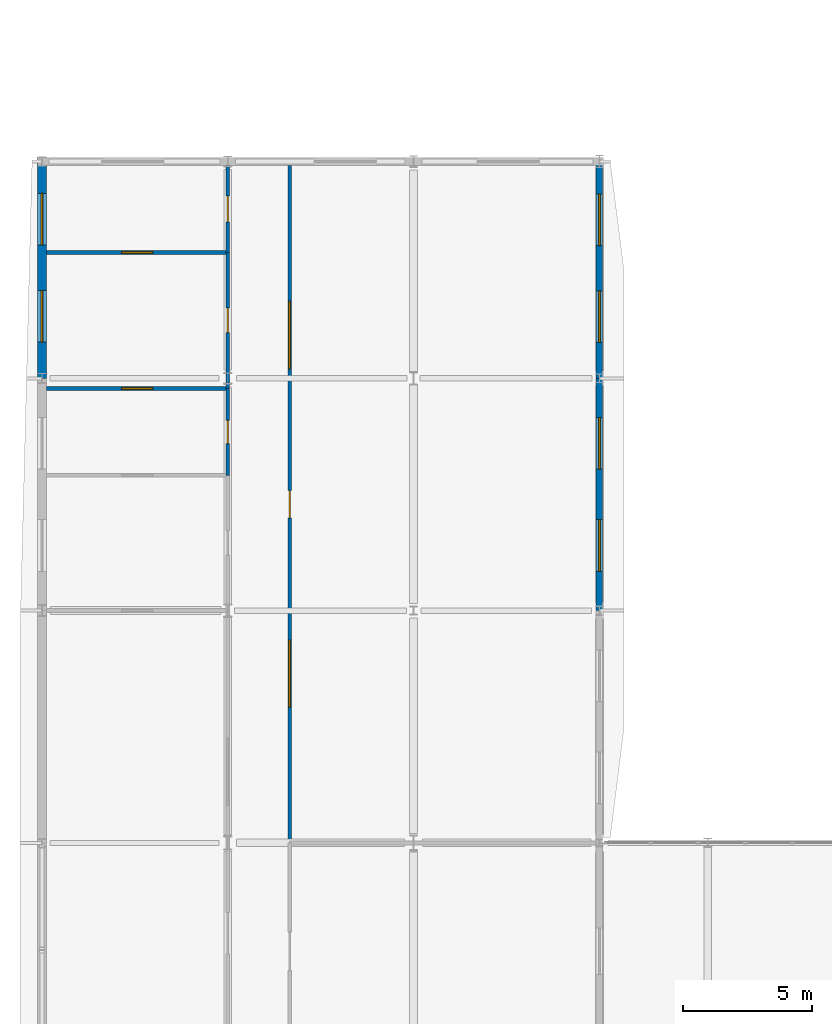
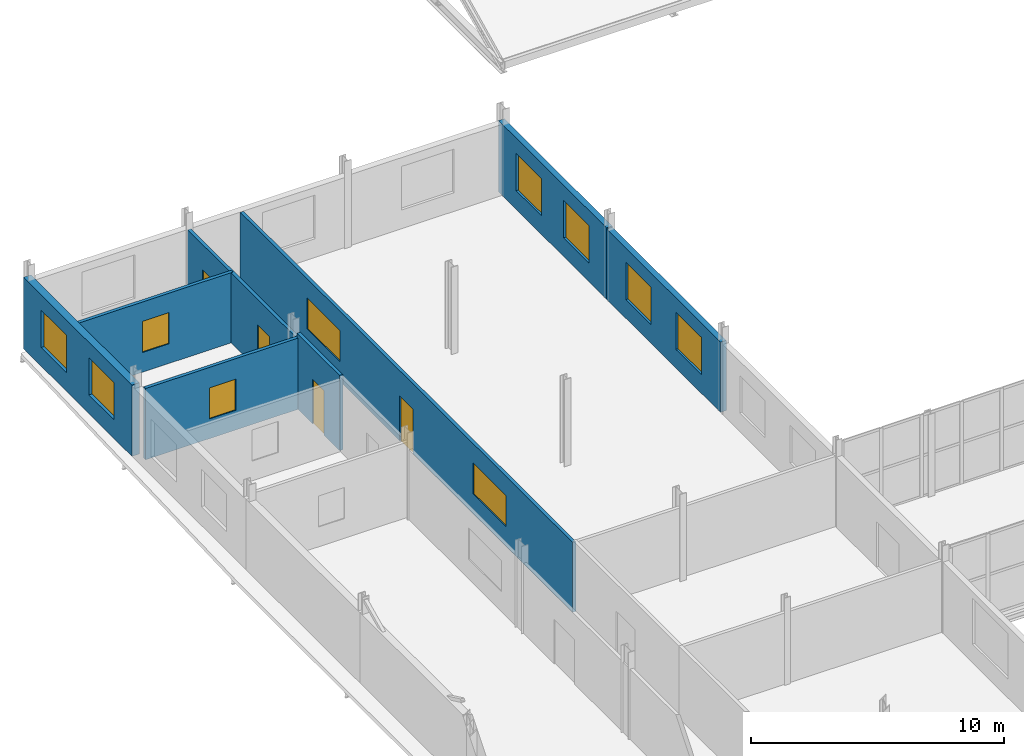
# One storey, part 118 of 138: 10 windows, 9 walls, 4 doors, 14 openings.
"""IFC4 building model written with IfcOpenShell, lengths in metres."""

import ifcopenshell
import ifcopenshell.guid

model = None  # the IFC model being written
_history = None  # IfcOwnerHistory: only IFC2X3 demands one
_inside = {}  # id of a spatial element -> (the spatial element, [elements in it])
_under = {}  # id of a project, library or spatial element -> (it, [spatial elements below it])
_declared = {}  # id of a project -> (the project, [libraries it declares])
_typed = {}  # id of a type object -> (the type object, [elements of that type])
_made_of = {}  # id of a material, layer set ... -> (it, [elements and type objects made of it])


def new_model(schema):
    """Start an empty IFC model of exactly this schema.

    Asked for "IFC4X3", IfcOpenShell would pick the latest addendum, in which some entities
    have other attributes; the version numbers below select the first issue.
    IFC2X3 requires an IfcOwnerHistory on every rooted entity: one is made here for all.
    """
    global model, _history
    if schema == "IFC4X3":
        model = ifcopenshell.file(schema_version=(4, 3, 0, 0))
    else:
        model = ifcopenshell.file(schema=schema)
    _inside.clear()
    _under.clear()
    _declared.clear()
    _typed.clear()
    _made_of.clear()
    _history = None
    if model.schema == "IFC2X3":
        org = make("IfcOrganization", Name="unknown")
        user = make(
            "IfcPersonAndOrganization",
            ThePerson=make("IfcPerson", FamilyName="unknown"),
            TheOrganization=org,
        )
        app = make(
            "IfcApplication",
            ApplicationDeveloper=org,
            Version="unknown",
            ApplicationFullName="unknown",
            ApplicationIdentifier="unknown",
        )
        _history = make(
            "IfcOwnerHistory",
            OwningUser=user,
            OwningApplication=app,
            ChangeAction="ADDED",
            CreationDate=0,
        )
    return model


def make(cls, **values):
    """One entity of the class cls with the attributes given. An attribute that is None is left unset."""
    return model.create_entity(
        cls, **{name: value for name, value in values.items() if value is not None}
    )


def rooted(cls, **values):
    """An entity with a GlobalId (a new one), such as an element, a storey or a relation."""
    return make(cls, GlobalId=ifcopenshell.guid.new(), OwnerHistory=_history, **values)


def si_unit(unit_type, name, prefix=None):
    """IfcSIUnit, for example si_unit("LENGTHUNIT", "METRE", prefix="MILLI")."""
    return make("IfcSIUnit", UnitType=unit_type, Prefix=prefix, Name=name)


def assignment(units):
    """IfcUnitAssignment: the units of a project."""
    return None if units is None else make("IfcUnitAssignment", Units=units)


def point(xyz):
    """IfcCartesianPoint."""
    return None if xyz is None else make("IfcCartesianPoint", Coordinates=xyz)


def direction(xyz):
    """IfcDirection."""
    return None if xyz is None else make("IfcDirection", DirectionRatios=xyz)


def frame(location, z_axis=None, x_axis=None):
    """IfcAxis2Placement3D, a coordinate frame: its origin and axes. An axis left out is left unset."""
    return make(
        "IfcAxis2Placement3D",
        Location=point(location),
        Axis=direction(z_axis),
        RefDirection=direction(x_axis),
    )


def frame_2d(location, x_axis=None):
    """IfcAxis2Placement2D, a coordinate frame in the plane: its origin and x axis."""
    return make(
        "IfcAxis2Placement2D", Location=point(location), RefDirection=direction(x_axis)
    )


def origin():
    """The frame at (0, 0, 0) with its axes left unset."""
    return frame((0.0, 0.0, 0.0))


def place(relative_to, where):
    """IfcLocalPlacement: puts the frame where relative to a parent placement (None: the world)."""
    return make(
        "IfcLocalPlacement", PlacementRelTo=relative_to, RelativePlacement=where
    )


def context(
    kind, dimensions, precision=None, world=None, true_north=None, identifier=None
):
    """IfcGeometricRepresentationContext, for example the 3D "Model" context."""
    return make(
        "IfcGeometricRepresentationContext",
        ContextIdentifier=identifier,
        ContextType=kind,
        CoordinateSpaceDimension=dimensions,
        Precision=precision,
        WorldCoordinateSystem=world,
        TrueNorth=true_north,
    )


def subcontext(parent, identifier, kind, view, scale=None):
    """IfcGeometricRepresentationSubContext, for example "Body" below "Model"."""
    return make(
        "IfcGeometricRepresentationSubContext",
        ContextIdentifier=identifier,
        ContextType=kind,
        ParentContext=parent,
        TargetScale=scale,
        TargetView=view,
    )


def project(units=None, contexts=None):
    """IfcProject with its units and contexts."""
    return rooted(
        "IfcProject",
        Name="project",
        RepresentationContexts=contexts,
        UnitsInContext=assignment(units),
    )


def spatial(cls, under=None, at=None, **own):
    """A site, building, storey or space (cls), placed at a placement, below another one or the project."""
    s = rooted(cls, ObjectPlacement=at, **own)
    if under is not None:
        _under.setdefault(under.id(), (under, []))[1].append(s)
    return s


def profile(cls, at=None, kind="AREA", **sizes):
    """A parametric profile (cls). Its sizes go by their IFC names, for example OverallWidth=200.0."""
    return make(cls, ProfileType=kind, Position=at, **sizes)


def rectangle(**sizes):
    """IfcRectangleProfileDef."""
    return profile("IfcRectangleProfileDef", **sizes)


def extrude(swept, where, along, depth):
    """IfcExtrudedAreaSolid: the profile swept, set in the frame where, extruded along a direction by depth."""
    return make(
        "IfcExtrudedAreaSolid",
        SweptArea=swept,
        Position=where,
        ExtrudedDirection=direction(along),
        Depth=depth,
    )


def shape(context_of_items, identifier, shape_type, items):
    """IfcShapeRepresentation: the items that make up one representation, for example the "Body"."""
    return make(
        "IfcShapeRepresentation",
        ContextOfItems=context_of_items,
        RepresentationIdentifier=identifier,
        RepresentationType=shape_type,
        Items=items,
    )


def material(Name=None, Category=None):
    """IfcMaterial."""
    return make("IfcMaterial", Name=Name, Category=Category)


def layer(
    of_material, thickness, ventilated=None, Name=None, Category=None, Priority=None
):
    """IfcMaterialLayer: one layer of a wall or slab, of a material (None: an air gap)."""
    return make(
        "IfcMaterialLayer",
        Material=of_material,
        LayerThickness=thickness,
        IsVentilated=ventilated,
        Name=Name,
        Category=Category,
        Priority=Priority,
    )


def layer_set(layers, Name=None):
    """IfcMaterialLayerSet."""
    return make("IfcMaterialLayerSet", MaterialLayers=layers, LayerSetName=Name)


def made_of(thing, what):
    """Note that an element or type object is made of a material, layer set ...; save() writes the relation."""
    if what is not None:
        _made_of.setdefault(what.id(), (what, []))[1].append(thing)
    return thing


def type_object(cls, material=None, **own):
    """A type object (cls), such as IfcWallType, which elements share."""
    return made_of(rooted(cls, **own), material)


def element(
    cls,
    number,
    at=None,
    inside=None,
    cuts=None,
    type_object=None,
    material=None,
    context=None,
    identifier="Body",
    shape_type=None,
    held_by="IfcProductDefinitionShape",
    body=None,
    shapes=None,
    **own,
):
    """One element of the class cls, such as IfcWall. Its Tag is "e" and its number.

    at: its placement. inside: the storey or other place that contains it. cuts: it is an
    opening in that element (IfcRelVoidsElement). A single representation is given by context,
    identifier, shape_type and body (its items); several are given by shapes. held_by: the class
    of the entity that holds the representations. save() writes the other relations.
    """
    e = rooted(cls, Tag="e%d" % number, ObjectPlacement=at, **own)
    if body is not None:
        shapes = [shape(context, identifier, shape_type, body)]
    if shapes is not None:
        e.Representation = make(held_by, Representations=shapes)
    if inside is not None:
        _inside.setdefault(inside.id(), (inside, []))[1].append(e)
    if cuts is not None:
        rooted(
            "IfcRelVoidsElement", RelatingBuildingElement=cuts, RelatedOpeningElement=e
        )
    if type_object is not None:
        _typed.setdefault(type_object.id(), (type_object, []))[1].append(e)
    return made_of(e, material)


def fill(opening, filler):
    """IfcRelFillsElement: the door or window that sits in an opening."""
    return rooted(
        "IfcRelFillsElement",
        RelatingOpeningElement=opening,
        RelatedBuildingElement=filler,
    )


def aggregate(whole, parts):
    """IfcRelAggregates: a whole, such as a stair, and the parts it consists of."""
    return rooted("IfcRelAggregates", RelatingObject=whole, RelatedObjects=parts)


def save(model, path):
    """Write the relations noted so far, then the file.

    IfcRelAggregates (storeys below a building ...), IfcRelContainedInSpatialStructure (elements
    in a storey), IfcRelDefinesByType, IfcRelAssociatesMaterial and IfcRelDeclares: one each for
    every whole, place, type object, material and project.
    """
    for whole, parts in _under.values():
        aggregate(whole, parts)
    for where, things in _inside.values():
        rooted(
            "IfcRelContainedInSpatialStructure",
            RelatedElements=things,
            RelatingStructure=where,
        )
    for kind, things in _typed.values():
        rooted("IfcRelDefinesByType", RelatedObjects=things, RelatingType=kind)
    for what, things in _made_of.values():
        rooted("IfcRelAssociatesMaterial", RelatedObjects=things, RelatingMaterial=what)
    for by, libraries in _declared.values():
        rooted("IfcRelDeclares", RelatingContext=by, RelatedDefinitions=libraries)
    model.write(path)


model = new_model("IFC4")

# Units and contexts
model_context = context("Model", 3, precision=1e-05, world=origin(), true_north=direction((0.0, 1.0)))
body_context = subcontext(model_context, "Body", "Model", "MODEL_VIEW")
ifc_project = project(units=[si_unit("LENGTHUNIT", "METRE"), si_unit("AREAUNIT", "SQUARE_METRE"), si_unit("VOLUMEUNIT", "CUBIC_METRE"), si_unit("PLANEANGLEUNIT", "RADIAN"), si_unit("MASSUNIT", "GRAM", prefix="KILO")], contexts=[model_context])

# Site, building, storey
site_placement = place(None, origin())
site = spatial("IfcSite", under=ifc_project, at=site_placement, CompositionType="ELEMENT")
building_placement = place(site_placement, origin())
building = spatial("IfcBuilding", under=site, at=building_placement, Name="Vinh Khe Railworks Police Headquarters", CompositionType="ELEMENT")
storey_placement = place(building_placement, frame((0.0, 0.0, 9.0)))
storey = spatial("IfcBuildingStorey", under=building, at=storey_placement, Name="L02", CompositionType="ELEMENT", Elevation=9.0)

# Wall, openings, windows
ifc_material_1 = material(Name="Clay brickwork", Category="masonry")
ifc_layer_1 = layer(ifc_material_1, 0.260009765625)
ifc_layer_set_1 = layer_set([ifc_layer_1], Name="Clay brickwork")
wall_type_1 = type_object("IfcWallType", Name="EW-BRK-260", PredefinedType="SOLIDWALL", material=ifc_layer_set_1)
wall_1_placement = place(storey_placement, frame((22.199951171875, 113.39990234375, 0.0), z_axis=(0.0, 0.0, 1.0), x_axis=(0.0, 1.0, 0.0)))
wall_1 = element("IfcWall", 1, at=wall_1_placement, inside=storey, type_object=wall_type_1, Name="Exterior Brick Wall EW-L02-V5E-15", PredefinedType="SOLIDWALL", context=body_context, shape_type="SweptSolid", body=[
    extrude(rectangle(XDim=9.0, YDim=0.260009765625, at=frame_2d((4.5, 0.0))), origin(), (0.0, 0.0, 1.0), 3.385009765625),
])
opening_1_placement = place(wall_1_placement, frame((1.52001953125, 0.0, 0.89990234375)))
opening_1 = element("IfcOpeningElement", 2, at=opening_1_placement, cuts=wall_1, Name="Opening WN-04", PredefinedType="OPENING", context=body_context, shape_type="SweptSolid", body=[
    extrude(rectangle(XDim=2.0, YDim=1.800048828125, at=frame_2d((1.0, 0.89990234375))), frame((0.0, 0.14501953125, 0.0), z_axis=(0.0, -1.0, 0.0), x_axis=(1.0, 0.0, 0.0)), (0.0, 0.0, 1.0), 0.289794921875),
])
opening_2_placement = place(wall_1_placement, frame((5.47998046875, 0.0, 0.89990234375)))
opening_2 = element("IfcOpeningElement", 3, at=opening_2_placement, cuts=wall_1, Name="Opening WN-04", PredefinedType="OPENING", context=body_context, shape_type="SweptSolid", body=[
    extrude(rectangle(XDim=2.0, YDim=1.800048828125, at=frame_2d((1.0, 0.89990234375))), frame((0.0, 0.14501953125, 0.0), z_axis=(0.0, -1.0, 0.0), x_axis=(1.0, 0.0, 0.0)), (0.0, 0.0, 1.0), 0.289794921875),
])
ifc_material_2 = material(Name="Double-glazed solar-control glass in dark steel frame", Category="steel")
window_type_1 = type_object("IfcWindowType", Name="WIN-WN-04", PartitioningType="DOUBLE_PANEL_VERTICAL", PredefinedType="WINDOW", material=ifc_material_2)
window_1_placement = place(opening_1_placement, origin())
window_1 = element("IfcWindow", 4, at=window_1_placement, inside=storey, type_object=window_type_1, Name="Casement Window WN-04", OverallHeight=1.800048828125, OverallWidth=2.0, PartitioningType="SINGLE_PANEL", PredefinedType="WINDOW", context=body_context, shape_type="SweptSolid", body=[
    extrude(rectangle(XDim=2.0, YDim=1.800048828125, at=frame_2d((1.0, 0.89990234375))), frame((0.0, 0.030029296875, 0.0), z_axis=(0.0, -1.0, 0.0), x_axis=(1.0, 0.0, 0.0)), (0.0, 0.0, 1.0), 0.06005859375),
])
fill(opening_1, window_1)
window_2_placement = place(opening_2_placement, origin())
window_2 = element("IfcWindow", 5, at=window_2_placement, inside=storey, type_object=window_type_1, Name="Casement Window WN-04", OverallHeight=1.800048828125, OverallWidth=2.0, PartitioningType="SINGLE_PANEL", PredefinedType="WINDOW", context=body_context, shape_type="SweptSolid", body=[
    extrude(rectangle(XDim=2.0, YDim=1.800048828125, at=frame_2d((1.0, 0.89990234375))), frame((0.0, 0.030029296875, 0.0), z_axis=(0.0, -1.0, 0.0), x_axis=(1.0, 0.0, 0.0)), (0.0, 0.0, 1.0), 0.06005859375),
])
fill(opening_2, window_2)

wall_2_placement = place(storey_placement, frame((22.199951171875, 122.39990234375, 0.0), z_axis=(0.0, 0.0, 1.0), x_axis=(0.0, 1.0, 0.0)))
wall_2 = element("IfcWall", 6, at=wall_2_placement, inside=storey, type_object=wall_type_1, Name="Exterior Brick Wall EW-L02-V5E-16", PredefinedType="SOLIDWALL", context=body_context, shape_type="SweptSolid", body=[
    extrude(rectangle(XDim=8.530029296875, YDim=0.260009765625, at=frame_2d((4.26513671875, 0.0))), origin(), (0.0, 0.0, 1.0), 3.43505859375),
])
opening_3_placement = place(wall_2_placement, frame((1.388427734375, 0.0, 0.89990234375)))
opening_3 = element("IfcOpeningElement", 7, at=opening_3_placement, cuts=wall_2, Name="Opening WN-04", PredefinedType="OPENING", context=body_context, shape_type="SweptSolid", body=[
    extrude(rectangle(XDim=2.0, YDim=1.800048828125, at=frame_2d((1.0, 0.89990234375))), frame((0.0, 0.14501953125, 0.0), z_axis=(0.0, -1.0, 0.0), x_axis=(1.0, 0.0, 0.0)), (0.0, 0.0, 1.0), 0.289794921875),
])
opening_4_placement = place(wall_2_placement, frame((5.1416015625, 0.0, 0.89990234375)))
opening_4 = element("IfcOpeningElement", 8, at=opening_4_placement, cuts=wall_2, Name="Opening WN-04", PredefinedType="OPENING", context=body_context, shape_type="SweptSolid", body=[
    extrude(rectangle(XDim=2.0, YDim=1.800048828125, at=frame_2d((1.0, 0.89990234375))), frame((0.0, 0.14501953125, 0.0), z_axis=(0.0, -1.0, 0.0), x_axis=(1.0, 0.0, 0.0)), (0.0, 0.0, 1.0), 0.289794921875),
])
window_3_placement = place(opening_3_placement, origin())
window_3 = element("IfcWindow", 9, at=window_3_placement, inside=storey, type_object=window_type_1, Name="Casement Window WN-04", OverallHeight=1.800048828125, OverallWidth=2.0, PartitioningType="SINGLE_PANEL", PredefinedType="WINDOW", context=body_context, shape_type="SweptSolid", body=[
    extrude(rectangle(XDim=2.0, YDim=1.800048828125, at=frame_2d((1.0, 0.89990234375))), frame((0.0, 0.030029296875, 0.0), z_axis=(0.0, -1.0, 0.0), x_axis=(1.0, 0.0, 0.0)), (0.0, 0.0, 1.0), 0.06005859375),
])
fill(opening_3, window_3)
window_4_placement = place(opening_4_placement, origin())
window_4 = element("IfcWindow", 10, at=window_4_placement, inside=storey, type_object=window_type_1, Name="Casement Window WN-04", OverallHeight=1.800048828125, OverallWidth=2.0, PartitioningType="SINGLE_PANEL", PredefinedType="WINDOW", context=body_context, shape_type="SweptSolid", body=[
    extrude(rectangle(XDim=2.0, YDim=1.800048828125, at=frame_2d((1.0, 0.89990234375))), frame((0.0, 0.030029296875, 0.0), z_axis=(0.0, -1.0, 0.0), x_axis=(1.0, 0.0, 0.0)), (0.0, 0.0, 1.0), 0.06005859375),
])
fill(opening_4, window_4)

ifc_layer_2 = layer(ifc_material_1, 0.340087890625)
ifc_layer_set_2 = layer_set([ifc_layer_2], Name="Clay brickwork")
wall_type_2 = type_object("IfcWallType", Name="EW-BRK-340", PredefinedType="SOLIDWALL", material=ifc_layer_set_2)
wall_3_placement = place(storey_placement, frame((0.60009765625, 122.39990234375, 0.0), z_axis=(0.0, 0.0, 1.0), x_axis=(0.0, 1.0, 0.0)))
wall_3 = element("IfcWall", 11, at=wall_3_placement, inside=storey, type_object=wall_type_2, Name="Exterior Brick Wall EW-L02-V5W-16", PredefinedType="SOLIDWALL", context=body_context, shape_type="SweptSolid", body=[
    extrude(rectangle(XDim=8.570068359375, YDim=0.340087890625, at=frame_2d((4.28515625, 0.0))), origin(), (0.0, 0.0, 1.0), 3.43505859375),
])
opening_5_placement = place(wall_3_placement, frame((1.399658203125, 0.0, 0.89990234375)))
opening_5 = element("IfcOpeningElement", 12, at=opening_5_placement, cuts=wall_3, Name="Opening WN-04", PredefinedType="OPENING", context=body_context, shape_type="SweptSolid", body=[
    extrude(rectangle(XDim=2.0, YDim=1.800048828125, at=frame_2d((1.0, 0.89990234375))), frame((0.0, 0.18505859375, 0.0), z_axis=(0.0, -1.0, 0.0), x_axis=(1.0, 0.0, 0.0)), (0.0, 0.0, 1.0), 0.369873046875),
])
opening_6_placement = place(wall_3_placement, frame((5.17041015625, 0.0, 0.89990234375)))
opening_6 = element("IfcOpeningElement", 13, at=opening_6_placement, cuts=wall_3, Name="Opening WN-04", PredefinedType="OPENING", context=body_context, shape_type="SweptSolid", body=[
    extrude(rectangle(XDim=2.0, YDim=1.800048828125, at=frame_2d((1.0, 0.89990234375))), frame((0.0, 0.18505859375, 0.0), z_axis=(0.0, -1.0, 0.0), x_axis=(1.0, 0.0, 0.0)), (0.0, 0.0, 1.0), 0.369873046875),
])
window_5_placement = place(opening_5_placement, origin())
window_5 = element("IfcWindow", 14, at=window_5_placement, inside=storey, type_object=window_type_1, Name="Casement Window WN-04", OverallHeight=1.800048828125, OverallWidth=2.0, PartitioningType="SINGLE_PANEL", PredefinedType="WINDOW", context=body_context, shape_type="SweptSolid", body=[
    extrude(rectangle(XDim=2.0, YDim=1.800048828125, at=frame_2d((1.0, 0.89990234375))), frame((0.0, 0.030029296875, 0.0), z_axis=(0.0, -1.0, 0.0), x_axis=(1.0, 0.0, 0.0)), (0.0, 0.0, 1.0), 0.06005859375),
])
fill(opening_5, window_5)
window_6_placement = place(opening_6_placement, origin())
window_6 = element("IfcWindow", 15, at=window_6_placement, inside=storey, type_object=window_type_1, Name="Casement Window WN-04", OverallHeight=1.800048828125, OverallWidth=2.0, PartitioningType="SINGLE_PANEL", PredefinedType="WINDOW", context=body_context, shape_type="SweptSolid", body=[
    extrude(rectangle(XDim=2.0, YDim=1.800048828125, at=frame_2d((1.0, 0.89990234375))), frame((0.0, 0.030029296875, 0.0), z_axis=(0.0, -1.0, 0.0), x_axis=(1.0, 0.0, 0.0)), (0.0, 0.0, 1.0), 0.06005859375),
])
fill(opening_6, window_6)

# Wall, opening, window
ifc_material_3 = material(Name="Gypsum plasterboard on steel stud", Category="steel")
ifc_layer_3 = layer(ifc_material_3, 0.1201171875)
ifc_layer_set_3 = layer_set([ifc_layer_3], Name="Gypsum plasterboard on steel stud")
wall_type_3 = type_object("IfcWallType", Name="IW-PART-120", PredefinedType="PARTITIONING", material=ifc_layer_set_3)
wall_4_placement = place(storey_placement, frame((0.780029296875, 127.281982421875, 0.0), z_axis=(0.0, 0.0, 1.0), x_axis=(1.0, 0.0, 0.0)))
wall_4 = element("IfcWall", 16, at=wall_4_placement, inside=storey, type_object=wall_type_3, Name="Interior Partition W-L02-V5-AWCL2S-DIV", PredefinedType="PARTITIONING", context=body_context, shape_type="SweptSolid", body=[
    extrude(rectangle(XDim=7.02001953125, YDim=0.14990234375, at=frame_2d((3.510009765625, 0.0))), origin(), (0.0, 0.0, 1.0), 3.385009765625),
])
opening_7_placement = place(wall_4_placement, frame((2.909912109375, 0.0, 0.949951171875)))
opening_7 = element("IfcOpeningElement", 17, at=opening_7_placement, cuts=wall_4, Name="Opening WN-10", PredefinedType="OPENING", context=body_context, shape_type="SweptSolid", body=[
    extrude(rectangle(XDim=1.199951171875, YDim=1.5, at=frame_2d((0.60009765625, 0.75))), frame((0.0, 0.08984375, 0.0), z_axis=(0.0, -1.0, 0.0), x_axis=(1.0, 0.0, 0.0)), (0.0, 0.0, 1.0), 0.1796875),
])
window_type_2 = type_object("IfcWindowType", Name="WIN-WN-10", PartitioningType="SINGLE_PANEL", PredefinedType="WINDOW", material=ifc_material_2)
window_7_placement = place(opening_7_placement, origin())
window_7 = element("IfcWindow", 18, at=window_7_placement, inside=storey, type_object=window_type_2, Name="Interior Acoustic Vision Window WN-10", OverallHeight=1.5, OverallWidth=1.199951171875, PartitioningType="SINGLE_PANEL", PredefinedType="WINDOW", context=body_context, shape_type="SweptSolid", body=[
    extrude(rectangle(XDim=1.199951171875, YDim=1.5, at=frame_2d((0.60009765625, 0.75))), frame((0.0, 0.030029296875, 0.0), z_axis=(0.0, -1.0, 0.0), x_axis=(1.0, 0.0, 0.0)), (0.0, 0.0, 1.0), 0.06005859375),
])
fill(opening_7, window_7)

wall_5_placement = place(storey_placement, frame((0.780029296875, 122.0, 0.0), z_axis=(0.0, 0.0, 1.0), x_axis=(1.0, 0.0, 0.0)))
wall_5 = element("IfcWall", 19, at=wall_5_placement, inside=storey, type_object=wall_type_3, Name="Interior Partition W-L02-V5-AWCL2-DIV", PredefinedType="PARTITIONING", context=body_context, shape_type="SweptSolid", body=[
    extrude(rectangle(XDim=7.02001953125, YDim=0.14990234375, at=frame_2d((3.510009765625, 0.0))), origin(), (0.0, 0.0, 1.0), 3.43505859375),
])
opening_8_placement = place(wall_5_placement, frame((2.909912109375, 0.0, 0.949951171875)))
opening_8 = element("IfcOpeningElement", 20, at=opening_8_placement, cuts=wall_5, Name="Opening WN-10", PredefinedType="OPENING", context=body_context, shape_type="SweptSolid", body=[
    extrude(rectangle(XDim=1.199951171875, YDim=1.5, at=frame_2d((0.60009765625, 0.75))), frame((0.0, 0.08984375, 0.0), z_axis=(0.0, -1.0, 0.0), x_axis=(1.0, 0.0, 0.0)), (0.0, 0.0, 1.0), 0.1796875),
])
window_8_placement = place(opening_8_placement, origin())
window_8 = element("IfcWindow", 21, at=window_8_placement, inside=storey, type_object=window_type_2, Name="Interior Acoustic Vision Window WN-10", OverallHeight=1.5, OverallWidth=1.199951171875, PartitioningType="SINGLE_PANEL", PredefinedType="WINDOW", context=body_context, shape_type="SweptSolid", body=[
    extrude(rectangle(XDim=1.199951171875, YDim=1.5, at=frame_2d((0.60009765625, 0.75))), frame((0.0, 0.030029296875, 0.0), z_axis=(0.0, -1.0, 0.0), x_axis=(1.0, 0.0, 0.0)), (0.0, 0.0, 1.0), 0.06005859375),
])
fill(opening_8, window_8)

# Wall, opening, door
ifc_material_4 = material(Name="Gypsum plasterboard on acoustic steel stud", Category="steel")
ifc_layer_4 = layer(ifc_material_4, 0.14990234375)
ifc_layer_set_4 = layer_set([ifc_layer_4], Name="Gypsum plasterboard on acoustic steel stud")
wall_type_4 = type_object("IfcWallType", Name="IW-PART-150", PredefinedType="PARTITIONING", material=ifc_layer_set_4)
wall_6_placement = place(storey_placement, frame((7.800048828125, 118.64208984375, 0.0), z_axis=(0.0, 0.0, 1.0), x_axis=(0.0, 1.0, 0.0)))
wall_6 = element("IfcWall", 22, at=wall_6_placement, inside=storey, type_object=wall_type_4, Name="Interior Partition W-L02-V5-WCL2-CW", PredefinedType="PARTITIONING", context=body_context, shape_type="SweptSolid", body=[
    extrude(rectangle(XDim=3.35791015625, YDim=0.14990234375, at=frame_2d((1.678955078125, 0.0))), origin(), (0.0, 0.0, 1.0), 3.625),
])
opening_9_placement = place(wall_6_placement, frame((1.22900390625, 0.0, 0.0)))
opening_9 = element("IfcOpeningElement", 23, at=opening_9_placement, cuts=wall_6, Name="Opening D-04", PredefinedType="OPENING", context=body_context, shape_type="SweptSolid", body=[
    extrude(rectangle(XDim=0.89990234375, YDim=2.14990234375, at=frame_2d((0.449951171875, 1.074951171875))), frame((0.0, 0.08984375, 0.0), z_axis=(0.0, -1.0, 0.0), x_axis=(1.0, 0.0, 0.0)), (0.0, 0.0, 1.0), 0.1796875),
])
ifc_material_5 = material(Name="Seasoned hardwood timber", Category="wood")
door_type_1 = type_object("IfcDoorType", Name="ID-900x2150", OperationType="NOTDEFINED", PredefinedType="DOOR", material=ifc_material_5)
door_1_placement = place(opening_9_placement, origin())
door_1 = element("IfcDoor", 24, at=door_1_placement, inside=storey, type_object=door_type_1, Name="Staff WC L02 Door", OperationType="SINGLE_SWING_LEFT", OverallHeight=2.14990234375, OverallWidth=0.89990234375, PredefinedType="DOOR", context=body_context, shape_type="SweptSolid", body=[
    extrude(rectangle(XDim=0.89990234375, YDim=2.14990234375, at=frame_2d((0.449951171875, 1.074951171875))), frame((0.0, 0.02490234375, 0.0), z_axis=(0.0, -1.0, 0.0), x_axis=(1.0, 0.0, 0.0)), (0.0, 0.0, 1.0), 0.050048828125),
])
fill(opening_9, door_1)

wall_7_placement = place(storey_placement, frame((7.800048828125, 122.0, 0.0), z_axis=(0.0, 0.0, 1.0), x_axis=(0.0, 1.0, 0.0)))
wall_7 = element("IfcWall", 25, at=wall_7_placement, inside=storey, type_object=wall_type_4, Name="Interior Partition W-L02-V5-AWCL2S-CW", PredefinedType="PARTITIONING", context=body_context, shape_type="SweptSolid", body=[
    extrude(rectangle(XDim=5.281982421875, YDim=0.14990234375, at=frame_2d((2.64111328125, 0.0))), origin(), (0.0, 0.0, 1.0), 3.375),
])
opening_10_placement = place(wall_7_placement, frame((2.166015625, 0.0, 0.0)))
opening_10 = element("IfcOpeningElement", 26, at=opening_10_placement, cuts=wall_7, Name="Opening D-01", PredefinedType="OPENING", context=body_context, shape_type="SweptSolid", body=[
    extrude(rectangle(XDim=0.949951171875, YDim=2.14990234375, at=frame_2d((0.47509765625, 1.074951171875))), frame((0.0, 0.08984375, 0.0), z_axis=(0.0, -1.0, 0.0), x_axis=(1.0, 0.0, 0.0)), (0.0, 0.0, 1.0), 0.1796875),
])
door_type_2 = type_object("IfcDoorType", Name="ID-950x2150", OperationType="NOTDEFINED", PredefinedType="DOOR", material=ifc_material_5)
door_2_placement = place(opening_10_placement, origin())
door_2 = element("IfcDoor", 27, at=door_2_placement, inside=storey, type_object=door_type_2, Name="Floor Supplies Store Door", OperationType="SINGLE_SWING_RIGHT", OverallHeight=2.14990234375, OverallWidth=0.949951171875, PredefinedType="DOOR", context=body_context, shape_type="SweptSolid", body=[
    extrude(rectangle(XDim=0.949951171875, YDim=2.14990234375, at=frame_2d((0.47509765625, 1.074951171875))), frame((0.0, 0.02490234375, 0.0), z_axis=(0.0, -1.0, 0.0), x_axis=(1.0, 0.0, 0.0)), (0.0, 0.0, 1.0), 0.050048828125),
])
fill(opening_10, door_2)

wall_8_placement = place(storey_placement, frame((7.800048828125, 127.281982421875, 0.0), z_axis=(0.0, 0.0, 1.0), x_axis=(0.0, 1.0, 0.0)))
wall_8 = element("IfcWall", 28, at=wall_8_placement, inside=storey, type_object=wall_type_4, Name="Interior Partition W-L02-V5-AWCL2-CW", PredefinedType="PARTITIONING", context=body_context, shape_type="SweptSolid", body=[
    extrude(rectangle(XDim=3.35791015625, YDim=0.14990234375, at=frame_2d((1.678955078125, 0.0))), origin(), (0.0, 0.0, 1.0), 3.375),
])
opening_11_placement = place(wall_8_placement, frame((1.178955078125, 0.0, 0.0)))
opening_11 = element("IfcOpeningElement", 29, at=opening_11_placement, cuts=wall_8, Name="Opening D-05", PredefinedType="OPENING", context=body_context, shape_type="SweptSolid", body=[
    extrude(rectangle(XDim=1.0, YDim=2.14990234375, at=frame_2d((0.5, 1.074951171875))), frame((0.0, 0.08984375, 0.0), z_axis=(0.0, -1.0, 0.0), x_axis=(1.0, 0.0, 0.0)), (0.0, 0.0, 1.0), 0.1796875),
])
door_type_3 = type_object("IfcDoorType", Name="ID-1000x2150", OperationType="NOTDEFINED", PredefinedType="DOOR", material=ifc_material_5)
door_3_placement = place(opening_11_placement, origin())
door_3 = element("IfcDoor", 30, at=door_3_placement, inside=storey, type_object=door_type_3, Name="Accessible WC L02 Door", OperationType="SINGLE_SWING_LEFT", OverallHeight=2.14990234375, OverallWidth=1.0, PredefinedType="DOOR", context=body_context, shape_type="SweptSolid", body=[
    extrude(rectangle(XDim=1.0, YDim=2.14990234375, at=frame_2d((0.5, 1.074951171875))), frame((0.0, 0.02490234375, 0.0), z_axis=(0.0, -1.0, 0.0), x_axis=(1.0, 0.0, 0.0)), (0.0, 0.0, 1.0), 0.050048828125),
])
fill(opening_11, door_3)

# Wall, openings, door, windows
wall_9_placement = place(storey_placement, frame((10.199951171875, 104.39990234375, 0.0), z_axis=(0.0, 0.0, 1.0), x_axis=(0.0, 1.0, 0.0)))
wall_9 = element("IfcWall", 31, at=wall_9_placement, inside=storey, type_object=wall_type_4, Name="Interior Partition W-L02-V5-INT2-CE", PredefinedType="PARTITIONING", context=body_context, shape_type="SweptSolid", body=[
    extrude(rectangle(XDim=26.239990234375, YDim=0.14990234375, at=frame_2d((13.1201171875, 0.0))), origin(), (0.0, 0.0, 1.0), 3.375),
])
opening_12_placement = place(wall_9_placement, frame((12.594970703125, 0.0, 0.0)))
opening_12 = element("IfcOpeningElement", 32, at=opening_12_placement, cuts=wall_9, Name="Opening D-02", PredefinedType="OPENING", context=body_context, shape_type="SweptSolid", body=[
    extrude(rectangle(XDim=1.050048828125, YDim=2.14990234375, at=frame_2d((0.52490234375, 1.074951171875))), frame((0.0, 0.08984375, 0.0), z_axis=(0.0, -1.0, 0.0), x_axis=(1.0, 0.0, 0.0)), (0.0, 0.0, 1.0), 0.1796875),
])
opening_13_placement = place(wall_9_placement, frame((5.260009765625, 0.0, 0.949951171875)))
opening_13 = element("IfcOpeningElement", 33, at=opening_13_placement, cuts=wall_9, Name="Opening WN-07", PredefinedType="OPENING", context=body_context, shape_type="SweptSolid", body=[
    extrude(rectangle(XDim=2.60009765625, YDim=1.5, at=frame_2d((1.300048828125, 0.75))), frame((0.0, 0.08984375, 0.0), z_axis=(0.0, -1.0, 0.0), x_axis=(1.0, 0.0, 0.0)), (0.0, 0.0, 1.0), 0.1796875),
])
opening_14_placement = place(wall_9_placement, frame((18.3798828125, 0.0, 0.949951171875)))
opening_14 = element("IfcOpeningElement", 34, at=opening_14_placement, cuts=wall_9, Name="Opening WN-07", PredefinedType="OPENING", context=body_context, shape_type="SweptSolid", body=[
    extrude(rectangle(XDim=2.60009765625, YDim=1.5, at=frame_2d((1.300048828125, 0.75))), frame((0.0, 0.08984375, 0.0), z_axis=(0.0, -1.0, 0.0), x_axis=(1.0, 0.0, 0.0)), (0.0, 0.0, 1.0), 0.1796875),
])
door_type_4 = type_object("IfcDoorType", Name="ID-1050x2150", OperationType="NOTDEFINED", PredefinedType="DOOR", material=ifc_material_5)
door_4_placement = place(opening_12_placement, origin())
door_4 = element("IfcDoor", 35, at=door_4_placement, inside=storey, type_object=door_type_4, Name="Witness Interview and Recording Suite Door", OperationType="SINGLE_SWING_RIGHT", OverallHeight=2.14990234375, OverallWidth=1.050048828125, PredefinedType="DOOR", context=body_context, shape_type="SweptSolid", body=[
    extrude(rectangle(XDim=1.050048828125, YDim=2.14990234375, at=frame_2d((0.52490234375, 1.074951171875))), frame((0.0, 0.02490234375, 0.0), z_axis=(0.0, -1.0, 0.0), x_axis=(1.0, 0.0, 0.0)), (0.0, 0.0, 1.0), 0.050048828125),
])
fill(opening_12, door_4)
window_type_3 = type_object("IfcWindowType", Name="WIN-WN-07", PartitioningType="DOUBLE_PANEL_HORIZONTAL", PredefinedType="WINDOW", material=ifc_material_2)
window_9_placement = place(opening_13_placement, origin())
window_9 = element("IfcWindow", 36, at=window_9_placement, inside=storey, type_object=window_type_3, Name="Interior Acoustic Vision Window WN-07", OverallHeight=1.5, OverallWidth=2.60009765625, PartitioningType="SINGLE_PANEL", PredefinedType="WINDOW", context=body_context, shape_type="SweptSolid", body=[
    extrude(rectangle(XDim=2.60009765625, YDim=1.5, at=frame_2d((1.300048828125, 0.75))), frame((0.0, 0.030029296875, 0.0), z_axis=(0.0, -1.0, 0.0), x_axis=(1.0, 0.0, 0.0)), (0.0, 0.0, 1.0), 0.06005859375),
])
fill(opening_13, window_9)
window_10_placement = place(opening_14_placement, origin())
window_10 = element("IfcWindow", 37, at=window_10_placement, inside=storey, type_object=window_type_3, Name="Interior Acoustic Vision Window WN-07", OverallHeight=1.5, OverallWidth=2.60009765625, PartitioningType="SINGLE_PANEL", PredefinedType="WINDOW", context=body_context, shape_type="SweptSolid", body=[
    extrude(rectangle(XDim=2.60009765625, YDim=1.5, at=frame_2d((1.300048828125, 0.75))), frame((0.0, 0.030029296875, 0.0), z_axis=(0.0, -1.0, 0.0), x_axis=(1.0, 0.0, 0.0)), (0.0, 0.0, 1.0), 0.06005859375),
])
fill(opening_14, window_10)

save(model, "model.ifc")
